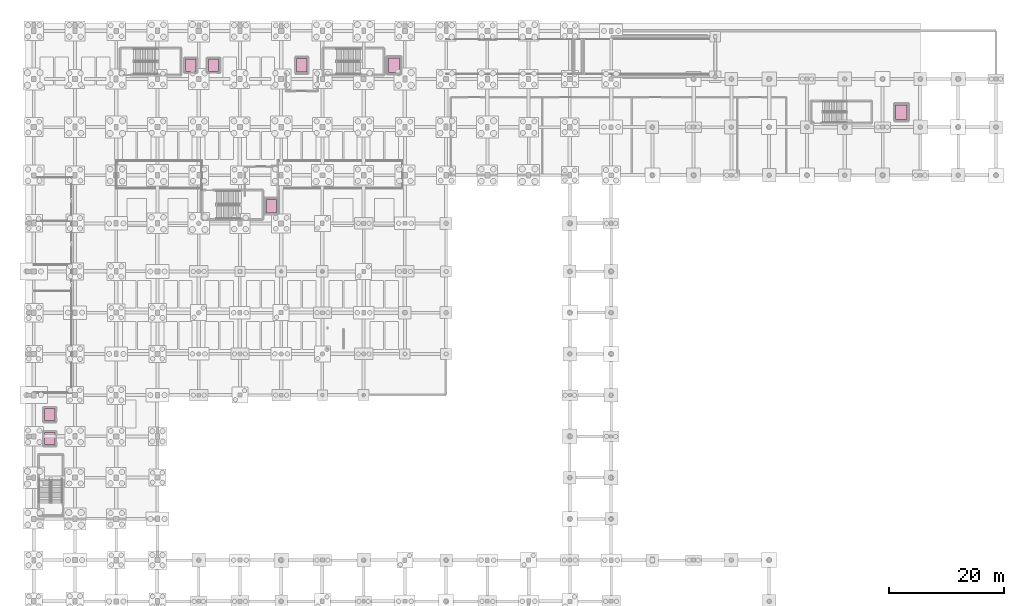
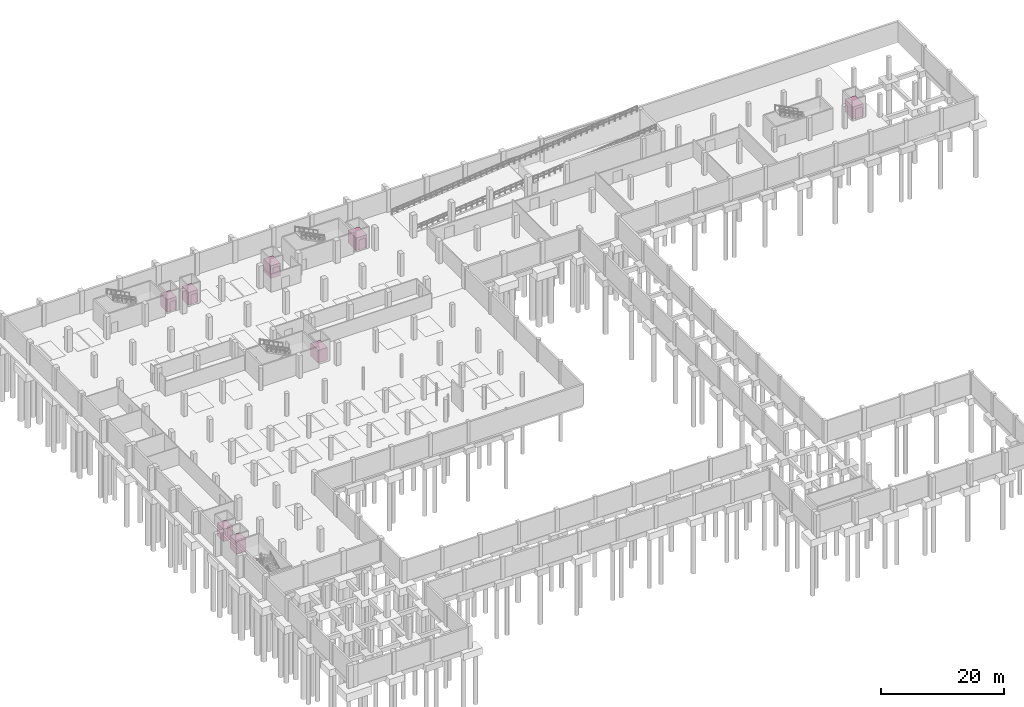
# One storey, part 35 of 35: 8 transport elements.
"""IFC4 building model written with IfcOpenShell, lengths in metres."""

from ifc_helpers import new_model, si_unit, direction, frame, origin, origin_2d, place, context, subcontext, project, spatial, rectangle, extrude, material, type_object, element, save


model = new_model("IFC4")

# Units and contexts
model_context = context("Model", 3, precision=1e-05, world=origin(), true_north=direction((0.0, 1.0)))
body_context = subcontext(model_context, "Body", "Model", "MODEL_VIEW")
ifc_project = project(units=[si_unit("LENGTHUNIT", "METRE"), si_unit("AREAUNIT", "SQUARE_METRE"), si_unit("VOLUMEUNIT", "CUBIC_METRE"), si_unit("PLANEANGLEUNIT", "RADIAN"), si_unit("MASSUNIT", "GRAM", prefix="KILO")], contexts=[model_context])

# Site, building, storey
site_placement = place(None, origin())
site = spatial("IfcSite", under=ifc_project, at=site_placement, CompositionType="ELEMENT")
building_placement = place(site_placement, origin())
building = spatial("IfcBuilding", under=site, at=building_placement, Name="Kalluvel Institute of Natural Sciences", CompositionType="ELEMENT")
storey_placement = place(building_placement, frame((0.0, 0.0, -4.5)))
storey = spatial("IfcBuildingStorey", under=building, at=storey_placement, Name="B1", CompositionType="ELEMENT", Elevation=-4.5)

# Transport elements
ifc_material = material(Name="Galvanized Fire-Rated Steel", Category="steel")
transport_element_type_1 = type_object("IfcTransportElementType", Name="LFT-FIRE-2000", PredefinedType="ELEVATOR", material=ifc_material)
for number, where, z_axis, x_axis, name in (
    (1, (60.800048828125, 122.0, 0.0), (0.0, 0.0, 1.0), (1.0, 0.0, 0.0), "Wet Wing Firefighting Lift LF3"),
    (2, (55.5, 97.39990234375, 0.0), (0.0, 0.0, 1.0), (1.0, 0.0, 0.0), "Central Fire-Tower Firefighting Lift LF8"),
):
    element("IfcTransportElement", number, at=place(storey_placement, frame(where, z_axis=z_axis, x_axis=x_axis)), inside=storey, type_object=transport_element_type_1, Name=name, PredefinedType="ELEVATOR", context=body_context, shape_type="SweptSolid", body=[
        extrude(rectangle(XDim=1.800048828125, YDim=2.39990234375, at=origin_2d()), origin(), (0.0, 0.0, 1.0), 2.5),
    ])
transport_element_type_2 = type_object("IfcTransportElementType", Name="LFT-GOODS-2500", PredefinedType="ELEVATOR", material=ifc_material)
for number, where, z_axis, x_axis, name in (
    (3, (76.89990234375, 122.0, 0.0), (0.0, 0.0, 1.0), (1.0, 0.0, 0.0), "Wet Wing Laboratory Goods Lift LF4"),
    (4, (165.5, 113.800048828125, 0.0), (0.0, 0.0, 1.0), (1.0, 0.0, 0.0), "Cleanroom Goods Lift LF5"),
):
    element("IfcTransportElement", number, at=place(storey_placement, frame(where, z_axis=z_axis, x_axis=x_axis)), inside=storey, type_object=transport_element_type_2, Name=name, PredefinedType="ELEVATOR", context=body_context, shape_type="SweptSolid", body=[
        extrude(rectangle(XDim=2.0, YDim=2.60009765625, at=origin_2d()), origin(), (0.0, 0.0, 1.0), 2.5),
    ])
transport_element_type_3 = type_object("IfcTransportElementType", Name="LFT-PASS-1600", PredefinedType="ELEVATOR", material=ifc_material)
for number, where, z_axis, x_axis, name in (
    (5, (41.39990234375, 122.0, 0.0), (0.0, 0.0, 1.0), (1.0, 0.0, 0.0), "Wet Wing Passenger Lift LF1"),
    (6, (45.39990234375, 122.0, 0.0), (0.0, 0.0, 1.0), (1.0, 0.0, 0.0), "Wet Wing Passenger Lift LF2"),
    (7, (16.800048828125, 56.800048828125, 0.0), (0.0, 0.0, 1.0), (1.0, 0.0, 0.0), "Dry Wing Passenger Lift LF6"),
    (8, (16.800048828125, 61.0, 0.0), (0.0, 0.0, 1.0), (1.0, 0.0, 0.0), "Dry Wing Passenger Lift LF7"),
):
    element("IfcTransportElement", number, at=place(storey_placement, frame(where, z_axis=z_axis, x_axis=x_axis)), inside=storey, type_object=transport_element_type_3, Name=name, PredefinedType="ELEVATOR", context=body_context, shape_type="SweptSolid", body=[
        extrude(rectangle(XDim=1.800048828125, YDim=2.10009765625, at=origin_2d()), origin(), (0.0, 0.0, 1.0), 2.5),
    ])

save(model, "model.ifc")
